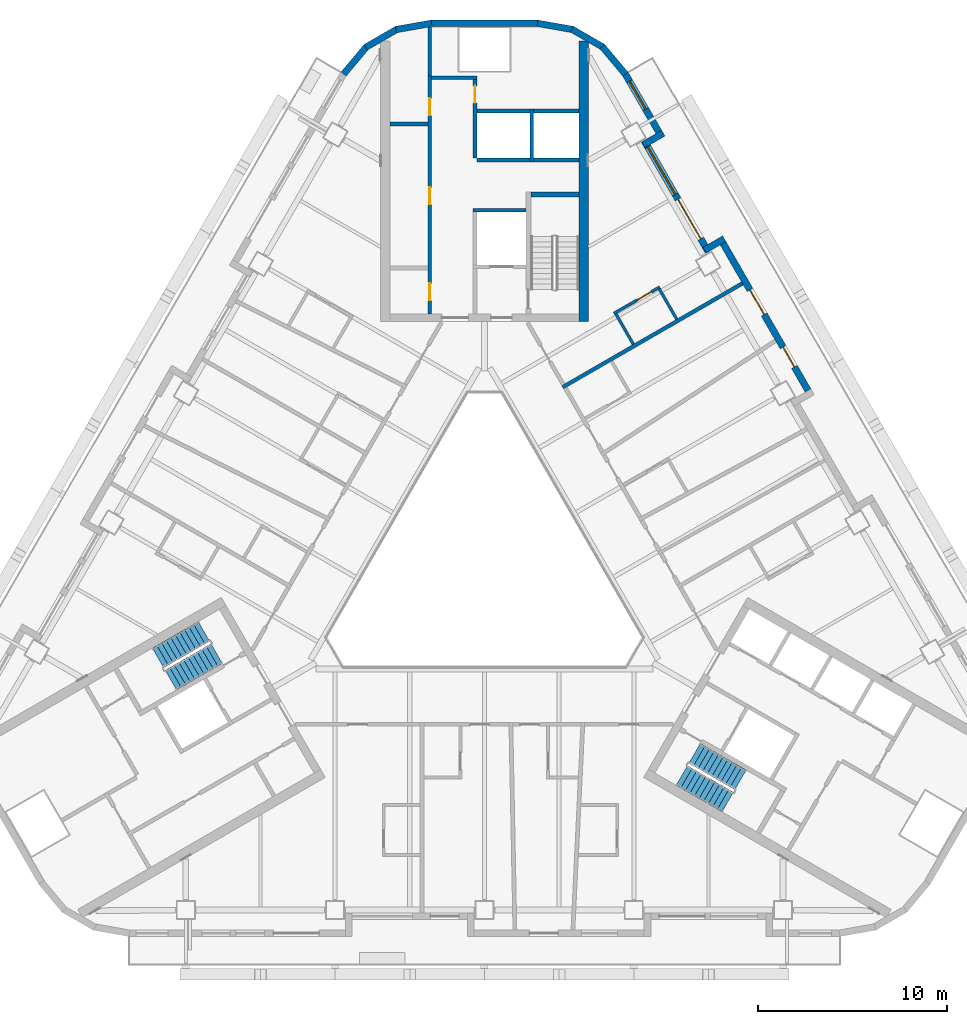
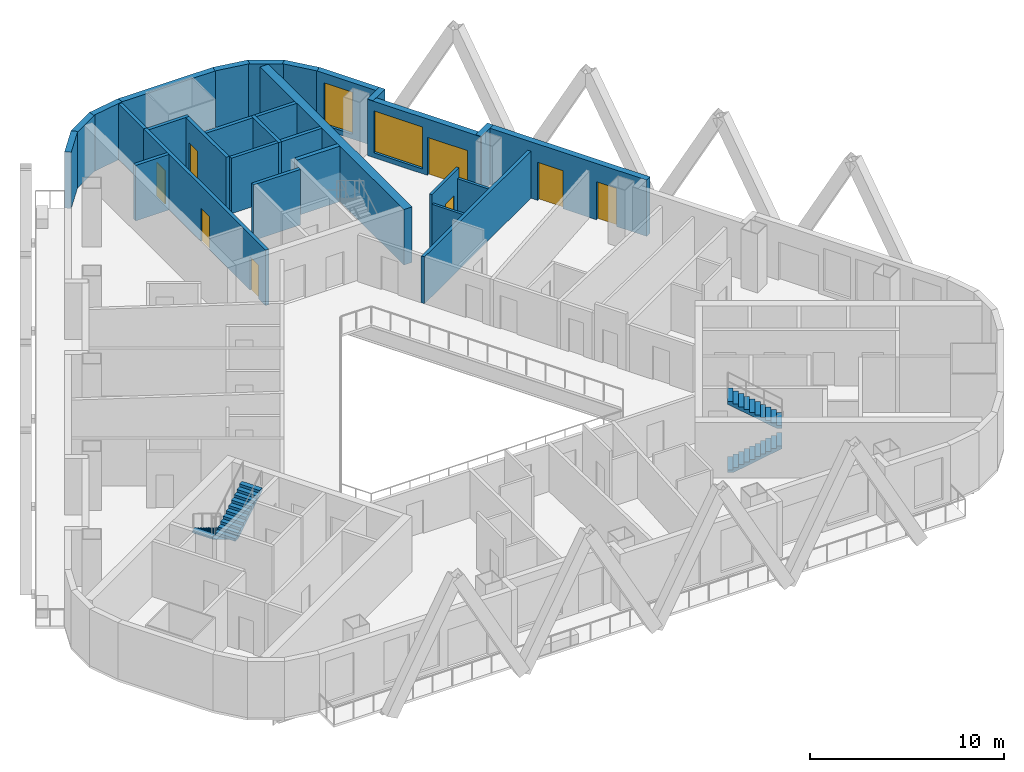
# One storey, part 10 of 17: 29 walls, 8 doors, 4 stair flights, 2 windows, 10 openings, 2 elements without a shape of their own.
"""IFC4 building model written with IfcOpenShell, lengths in metres."""

import ifcopenshell
import ifcopenshell.guid

model = None  # the IFC model being written
_history = None  # IfcOwnerHistory: only IFC2X3 demands one
_inside = {}  # id of a spatial element -> (the spatial element, [elements in it])
_under = {}  # id of a project, library or spatial element -> (it, [spatial elements below it])
_declared = {}  # id of a project -> (the project, [libraries it declares])
_typed = {}  # id of a type object -> (the type object, [elements of that type])
_made_of = {}  # id of a material, layer set ... -> (it, [elements and type objects made of it])


def new_model(schema):
    """Start an empty IFC model of exactly this schema.

    Asked for "IFC4X3", IfcOpenShell would pick the latest addendum, in which some entities
    have other attributes; the version numbers below select the first issue.
    IFC2X3 requires an IfcOwnerHistory on every rooted entity: one is made here for all.
    """
    global model, _history
    if schema == "IFC4X3":
        model = ifcopenshell.file(schema_version=(4, 3, 0, 0))
    else:
        model = ifcopenshell.file(schema=schema)
    _inside.clear()
    _under.clear()
    _declared.clear()
    _typed.clear()
    _made_of.clear()
    _history = None
    if model.schema == "IFC2X3":
        org = make("IfcOrganization", Name="unknown")
        user = make(
            "IfcPersonAndOrganization",
            ThePerson=make("IfcPerson", FamilyName="unknown"),
            TheOrganization=org,
        )
        app = make(
            "IfcApplication",
            ApplicationDeveloper=org,
            Version="unknown",
            ApplicationFullName="unknown",
            ApplicationIdentifier="unknown",
        )
        _history = make(
            "IfcOwnerHistory",
            OwningUser=user,
            OwningApplication=app,
            ChangeAction="ADDED",
            CreationDate=0,
        )
    return model


def make(cls, **values):
    """One entity of the class cls with the attributes given. An attribute that is None is left unset."""
    return model.create_entity(
        cls, **{name: value for name, value in values.items() if value is not None}
    )


def rooted(cls, **values):
    """An entity with a GlobalId (a new one), such as an element, a storey or a relation."""
    return make(cls, GlobalId=ifcopenshell.guid.new(), OwnerHistory=_history, **values)


def si_unit(unit_type, name, prefix=None):
    """IfcSIUnit, for example si_unit("LENGTHUNIT", "METRE", prefix="MILLI")."""
    return make("IfcSIUnit", UnitType=unit_type, Prefix=prefix, Name=name)


def assignment(units):
    """IfcUnitAssignment: the units of a project."""
    return None if units is None else make("IfcUnitAssignment", Units=units)


def point(xyz):
    """IfcCartesianPoint."""
    return None if xyz is None else make("IfcCartesianPoint", Coordinates=xyz)


def direction(xyz):
    """IfcDirection."""
    return None if xyz is None else make("IfcDirection", DirectionRatios=xyz)


def frame(location, z_axis=None, x_axis=None):
    """IfcAxis2Placement3D, a coordinate frame: its origin and axes. An axis left out is left unset."""
    return make(
        "IfcAxis2Placement3D",
        Location=point(location),
        Axis=direction(z_axis),
        RefDirection=direction(x_axis),
    )


def frame_2d(location, x_axis=None):
    """IfcAxis2Placement2D, a coordinate frame in the plane: its origin and x axis."""
    return make(
        "IfcAxis2Placement2D", Location=point(location), RefDirection=direction(x_axis)
    )


def origin():
    """The frame at (0, 0, 0) with its axes left unset."""
    return frame((0.0, 0.0, 0.0))


def place(relative_to, where):
    """IfcLocalPlacement: puts the frame where relative to a parent placement (None: the world)."""
    return make(
        "IfcLocalPlacement", PlacementRelTo=relative_to, RelativePlacement=where
    )


def context(
    kind, dimensions, precision=None, world=None, true_north=None, identifier=None
):
    """IfcGeometricRepresentationContext, for example the 3D "Model" context."""
    return make(
        "IfcGeometricRepresentationContext",
        ContextIdentifier=identifier,
        ContextType=kind,
        CoordinateSpaceDimension=dimensions,
        Precision=precision,
        WorldCoordinateSystem=world,
        TrueNorth=true_north,
    )


def subcontext(parent, identifier, kind, view, scale=None):
    """IfcGeometricRepresentationSubContext, for example "Body" below "Model"."""
    return make(
        "IfcGeometricRepresentationSubContext",
        ContextIdentifier=identifier,
        ContextType=kind,
        ParentContext=parent,
        TargetScale=scale,
        TargetView=view,
    )


def project(units=None, contexts=None):
    """IfcProject with its units and contexts."""
    return rooted(
        "IfcProject",
        Name="project",
        RepresentationContexts=contexts,
        UnitsInContext=assignment(units),
    )


def spatial(cls, under=None, at=None, **own):
    """A site, building, storey or space (cls), placed at a placement, below another one or the project."""
    s = rooted(cls, ObjectPlacement=at, **own)
    if under is not None:
        _under.setdefault(under.id(), (under, []))[1].append(s)
    return s


def polyline(points):
    """IfcPolyline through the points."""
    return make("IfcPolyline", Points=[point(p) for p in points])


def profile(cls, at=None, kind="AREA", **sizes):
    """A parametric profile (cls). Its sizes go by their IFC names, for example OverallWidth=200.0."""
    return make(cls, ProfileType=kind, Position=at, **sizes)


def rectangle(**sizes):
    """IfcRectangleProfileDef."""
    return profile("IfcRectangleProfileDef", **sizes)


def outline(outer, holes=None, kind="AREA"):
    """IfcArbitraryClosedProfileDef: a profile drawn as a closed curve; with holes, ...WithVoids."""
    if holes is None:
        return make("IfcArbitraryClosedProfileDef", ProfileType=kind, OuterCurve=outer)
    return make(
        "IfcArbitraryProfileDefWithVoids",
        ProfileType=kind,
        OuterCurve=outer,
        InnerCurves=holes,
    )


def extrude(swept, where, along, depth):
    """IfcExtrudedAreaSolid: the profile swept, set in the frame where, extruded along a direction by depth."""
    return make(
        "IfcExtrudedAreaSolid",
        SweptArea=swept,
        Position=where,
        ExtrudedDirection=direction(along),
        Depth=depth,
    )


def shape(context_of_items, identifier, shape_type, items):
    """IfcShapeRepresentation: the items that make up one representation, for example the "Body"."""
    return make(
        "IfcShapeRepresentation",
        ContextOfItems=context_of_items,
        RepresentationIdentifier=identifier,
        RepresentationType=shape_type,
        Items=items,
    )


def material(Name=None, Category=None):
    """IfcMaterial."""
    return make("IfcMaterial", Name=Name, Category=Category)


def layer(
    of_material, thickness, ventilated=None, Name=None, Category=None, Priority=None
):
    """IfcMaterialLayer: one layer of a wall or slab, of a material (None: an air gap)."""
    return make(
        "IfcMaterialLayer",
        Material=of_material,
        LayerThickness=thickness,
        IsVentilated=ventilated,
        Name=Name,
        Category=Category,
        Priority=Priority,
    )


def layer_set(layers, Name=None):
    """IfcMaterialLayerSet."""
    return make("IfcMaterialLayerSet", MaterialLayers=layers, LayerSetName=Name)


def made_of(thing, what):
    """Note that an element or type object is made of a material, layer set ...; save() writes the relation."""
    if what is not None:
        _made_of.setdefault(what.id(), (what, []))[1].append(thing)
    return thing


def type_object(cls, material=None, **own):
    """A type object (cls), such as IfcWallType, which elements share."""
    return made_of(rooted(cls, **own), material)


def element(
    cls,
    number,
    at=None,
    inside=None,
    cuts=None,
    type_object=None,
    material=None,
    context=None,
    identifier="Body",
    shape_type=None,
    held_by="IfcProductDefinitionShape",
    body=None,
    shapes=None,
    **own,
):
    """One element of the class cls, such as IfcWall. Its Tag is "e" and its number.

    at: its placement. inside: the storey or other place that contains it. cuts: it is an
    opening in that element (IfcRelVoidsElement). A single representation is given by context,
    identifier, shape_type and body (its items); several are given by shapes. held_by: the class
    of the entity that holds the representations. save() writes the other relations.
    """
    e = rooted(cls, Tag="e%d" % number, ObjectPlacement=at, **own)
    if body is not None:
        shapes = [shape(context, identifier, shape_type, body)]
    if shapes is not None:
        e.Representation = make(held_by, Representations=shapes)
    if inside is not None:
        _inside.setdefault(inside.id(), (inside, []))[1].append(e)
    if cuts is not None:
        rooted(
            "IfcRelVoidsElement", RelatingBuildingElement=cuts, RelatedOpeningElement=e
        )
    if type_object is not None:
        _typed.setdefault(type_object.id(), (type_object, []))[1].append(e)
    return made_of(e, material)


def fill(opening, filler):
    """IfcRelFillsElement: the door or window that sits in an opening."""
    return rooted(
        "IfcRelFillsElement",
        RelatingOpeningElement=opening,
        RelatedBuildingElement=filler,
    )


def aggregate(whole, parts):
    """IfcRelAggregates: a whole, such as a stair, and the parts it consists of."""
    return rooted("IfcRelAggregates", RelatingObject=whole, RelatedObjects=parts)


def save(model, path):
    """Write the relations noted so far, then the file.

    IfcRelAggregates (storeys below a building ...), IfcRelContainedInSpatialStructure (elements
    in a storey), IfcRelDefinesByType, IfcRelAssociatesMaterial and IfcRelDeclares: one each for
    every whole, place, type object, material and project.
    """
    for whole, parts in _under.values():
        aggregate(whole, parts)
    for where, things in _inside.values():
        rooted(
            "IfcRelContainedInSpatialStructure",
            RelatedElements=things,
            RelatingStructure=where,
        )
    for kind, things in _typed.values():
        rooted("IfcRelDefinesByType", RelatedObjects=things, RelatingType=kind)
    for what, things in _made_of.values():
        rooted("IfcRelAssociatesMaterial", RelatedObjects=things, RelatingMaterial=what)
    for by, libraries in _declared.values():
        rooted("IfcRelDeclares", RelatingContext=by, RelatedDefinitions=libraries)
    model.write(path)


model = new_model("IFC4")

# Units and contexts
model_context = context("Model", 3, precision=1e-05, world=origin(), true_north=direction((0.0, 1.0)))
body_context = subcontext(model_context, "Body", "Model", "MODEL_VIEW")
ifc_project = project(units=[si_unit("LENGTHUNIT", "METRE"), si_unit("AREAUNIT", "SQUARE_METRE"), si_unit("VOLUMEUNIT", "CUBIC_METRE"), si_unit("PLANEANGLEUNIT", "RADIAN"), si_unit("MASSUNIT", "GRAM", prefix="KILO")], contexts=[model_context])

# Site, building, storey
site_placement = place(None, origin())
site = spatial("IfcSite", under=ifc_project, at=site_placement, CompositionType="ELEMENT")
building_placement = place(site_placement, origin())
building = spatial("IfcBuilding", under=site, at=building_placement, Name="Apuvela Tower Hotel", CompositionType="ELEMENT")
storey_placement = place(building_placement, frame((0.0, 0.0, 46.5)))
storey = spatial("IfcBuildingStorey", under=building, at=storey_placement, Name="L08", CompositionType="ELEMENT", Elevation=46.5)

# Walls
ifc_material_1 = material(Name="Concrete C50/60", Category="concrete")
ifc_layer_1 = layer(ifc_material_1, 0.5)
ifc_layer_set_1 = layer_set([ifc_layer_1], Name="COR-WALL-CORE-500")
wall_type_1 = type_object("IfcWallType", Name="COR-WALL-CORE-500", PredefinedType="SHEAR", material=ifc_layer_set_1)
wall_1_placement = place(storey_placement, frame((5.25, 12.89990234375, 0.0), z_axis=(0.0, 0.0, 1.0), x_axis=(0.0, 1.0, 0.0)))
element("IfcWall", 1, at=wall_1_placement, inside=storey, type_object=wall_type_1, Name="Core wall N", PredefinedType="SHEAR", context=body_context, shape_type="SweptSolid", body=[
    extrude(rectangle(XDim=14.8369140625, YDim=0.5, at=frame_2d((7.41845703125, 0.0))), origin(), (0.0, 0.0, 1.0), 3.5),
])
ifc_material_2 = material(Name="Blockwork 200 mm plastered", Category="masonry")
ifc_layer_2 = layer(ifc_material_2, 0.199951171875)
ifc_layer_set_2 = layer_set([ifc_layer_2], Name="COR-WALL-PART-200")
wall_type_2 = type_object("IfcWallType", Name="COR-WALL-PART-200", PredefinedType="PARTITIONING", material=ifc_layer_set_2)
wall_2_placement = place(storey_placement, frame((5.0, 21.449951171875, 0.0), z_axis=(0.0, 0.0, 1.0), x_axis=(-1.0, 0.0, 0.0)))
element("IfcWall", 2, at=wall_2_placement, inside=storey, type_object=wall_type_2, Name="Partition N", PredefinedType="PARTITIONING", context=body_context, shape_type="SweptSolid", body=[
    extrude(rectangle(XDim=2.39990234375, YDim=0.199951171875, at=frame_2d((1.199951171875, 0.0))), origin(), (0.0, 0.0, 1.0), 3.5),
])
wall_3_placement = place(storey_placement, frame((2.39990234375, 21.449951171875, 0.0), z_axis=(0.0, 0.0, 1.0), x_axis=(-1.0, 0.0, 0.0)))
element("IfcWall", 3, at=wall_3_placement, inside=storey, type_object=wall_type_2, Name="Partition N", PredefinedType="PARTITIONING", context=body_context, shape_type="SweptSolid", body=[
    extrude(rectangle(XDim=2.7998046875, YDim=0.199951171875, at=frame_2d((1.39990234375, 0.0))), origin(), (0.0, 0.0, 1.0), 3.5),
])
ifc_layer_3 = layer(ifc_material_1, 0.199951171875)
ifc_layer_set_3 = layer_set([ifc_layer_3], Name="COR-WALL-SHAFT-200")
wall_type_3 = type_object("IfcWallType", Name="COR-WALL-SHAFT-200", PredefinedType="SHEAR", material=ifc_layer_set_3)
wall_4_placement = place(storey_placement, frame((2.199951171875, 18.800048828125, 0.0), z_axis=(0.0, 0.0, 1.0), x_axis=(-1.0, 0.0, 0.0)))
element("IfcWall", 4, at=wall_4_placement, inside=storey, type_object=wall_type_3, Name="Shaft wall N", PredefinedType="SHEAR", context=body_context, shape_type="SweptSolid", body=[
    extrude(rectangle(XDim=2.800048828125, YDim=0.199951171875, at=frame_2d((1.39990234375, 0.0))), origin(), (0.0, 0.0, 1.0), 3.5),
])

# Wall, openings, doors
wall_5_placement = place(storey_placement, frame((-2.89990234375, 13.300048828125, 0.0), z_axis=(0.0, 0.0, 1.0), x_axis=(0.0, 1.0, 0.0)))
wall_5 = element("IfcWall", 5, at=wall_5_placement, inside=storey, type_object=wall_type_3, Name="Shaft wall N", PredefinedType="SHEAR", context=body_context, shape_type="SweptSolid", body=[
    extrude(rectangle(XDim=12.599853515625, YDim=0.199951171875, at=frame_2d((6.2998046875, 0.0))), origin(), (0.0, 0.0, 1.0), 3.5),
])
opening_1_placement = place(wall_5_placement, frame((0.719970703125, 0.0, 0.0)))
opening_1 = element("IfcOpeningElement", 6, at=opening_1_placement, cuts=wall_5, Name="Opening N-RE1", PredefinedType="OPENING", context=body_context, shape_type="SweptSolid", body=[
    extrude(rectangle(XDim=0.89990234375, YDim=2.10009765625, at=frame_2d((0.449951171875, 1.050048828125))), frame((0.0, 0.10986328125, 0.0), z_axis=(0.0, -1.0, 0.0), x_axis=(1.0, 0.0, 0.0)), (0.0, 0.0, 1.0), 0.219970703125),
])
opening_2_placement = place(wall_5_placement, frame((5.800048828125, 0.0, 0.0)))
opening_2 = element("IfcOpeningElement", 7, at=opening_2_placement, cuts=wall_5, Name="Opening N-RE2", PredefinedType="OPENING", context=body_context, shape_type="SweptSolid", body=[
    extrude(rectangle(XDim=0.89990234375, YDim=2.10009765625, at=frame_2d((0.449951171875, 1.050048828125))), frame((0.0, 0.10986328125, 0.0), z_axis=(0.0, -1.0, 0.0), x_axis=(1.0, 0.0, 0.0)), (0.0, 0.0, 1.0), 0.219970703125),
])
opening_3_placement = place(wall_5_placement, frame((10.510009765625, 0.0, 0.0)))
opening_3 = element("IfcOpeningElement", 8, at=opening_3_placement, cuts=wall_5, Name="Opening N-REP", PredefinedType="OPENING", context=body_context, shape_type="SweptSolid", body=[
    extrude(rectangle(XDim=0.89990234375, YDim=2.10009765625, at=frame_2d((0.449951171875, 1.050048828125))), frame((0.0, 0.10986328125, 0.0), z_axis=(0.0, -1.0, 0.0), x_axis=(1.0, 0.0, 0.0)), (0.0, 0.0, 1.0), 0.219970703125),
])
ifc_material_3 = material(Name="Steel fire door, powder coated", Category="steel")
door_type_1 = type_object("IfcDoorType", Name="COR-DR-900", OperationType="NOTDEFINED", PredefinedType="DOOR", material=ifc_material_3)
door_1_placement = place(opening_1_placement, origin())
door_1 = element("IfcDoor", 9, at=door_1_placement, inside=storey, type_object=door_type_1, Name="Store door N-RE1", OperationType="SINGLE_SWING_LEFT", OverallHeight=2.10009765625, OverallWidth=0.89990234375, PredefinedType="DOOR", context=body_context, shape_type="SweptSolid", body=[
    extrude(rectangle(XDim=0.89990234375, YDim=2.10009765625, at=frame_2d((0.449951171875, 1.050048828125))), frame((0.0, 0.02490234375, 0.0), z_axis=(0.0, -1.0, 0.0), x_axis=(1.0, 0.0, 0.0)), (0.0, 0.0, 1.0), 0.050048828125),
])
fill(opening_1, door_1)
door_2_placement = place(opening_2_placement, origin())
door_2 = element("IfcDoor", 10, at=door_2_placement, inside=storey, type_object=door_type_1, Name="Store door N-RE2", OperationType="SINGLE_SWING_RIGHT", OverallHeight=2.10009765625, OverallWidth=0.89990234375, PredefinedType="DOOR", context=body_context, shape_type="SweptSolid", body=[
    extrude(rectangle(XDim=0.89990234375, YDim=2.10009765625, at=frame_2d((0.449951171875, 1.050048828125))), frame((0.0, 0.02490234375, 0.0), z_axis=(0.0, -1.0, 0.0), x_axis=(1.0, 0.0, 0.0)), (0.0, 0.0, 1.0), 0.050048828125),
])
fill(opening_2, door_2)
door_3_placement = place(opening_3_placement, origin())
door_3 = element("IfcDoor", 11, at=door_3_placement, inside=storey, type_object=door_type_1, Name="Store door N-REP", OperationType="SINGLE_SWING_RIGHT", OverallHeight=2.10009765625, OverallWidth=0.89990234375, PredefinedType="DOOR", context=body_context, shape_type="SweptSolid", body=[
    extrude(rectangle(XDim=0.89990234375, YDim=2.10009765625, at=frame_2d((0.449951171875, 1.050048828125))), frame((0.0, 0.02490234375, 0.0), z_axis=(0.0, -1.0, 0.0), x_axis=(1.0, 0.0, 0.0)), (0.0, 0.0, 1.0), 0.050048828125),
])
fill(opening_3, door_3)

# Wall
wall_6_placement = place(storey_placement, frame((-0.39990234375, 25.800048828125, 0.0), z_axis=(0.0, 0.0, 1.0), x_axis=(-1.0, 0.0, 0.0)))
element("IfcWall", 12, at=wall_6_placement, inside=storey, type_object=wall_type_3, Name="Shaft wall N", PredefinedType="SHEAR", context=body_context, shape_type="SweptSolid", body=[
    extrude(rectangle(XDim=2.400146484375, YDim=0.199951171875, at=frame_2d((1.2001953125, 0.0))), origin(), (0.0, 0.0, 1.0), 3.5),
])

# Wall, opening, door
wall_7_placement = place(storey_placement, frame((-0.5, 21.550048828125, 0.0), z_axis=(0.0, 0.0, 1.0), x_axis=(0.0, 1.0, 0.0)))
wall_7 = element("IfcWall", 13, at=wall_7_placement, inside=storey, type_object=wall_type_3, Name="Shaft wall N", PredefinedType="SHEAR", context=body_context, shape_type="SweptSolid", body=[
    extrude(rectangle(XDim=4.14990234375, YDim=0.199951171875, at=frame_2d((2.074951171875, 0.0))), origin(), (0.0, 0.0, 1.0), 3.5),
])
opening_4_placement = place(wall_7_placement, frame((2.925048828125, 0.0, 0.0)))
opening_4 = element("IfcOpeningElement", 14, at=opening_4_placement, cuts=wall_7, Name="Opening N-RSP", PredefinedType="OPENING", context=body_context, shape_type="SweptSolid", body=[
    extrude(rectangle(XDim=0.89990234375, YDim=2.10009765625, at=frame_2d((0.449951171875, 1.050048828125))), frame((0.0, 0.10986328125, 0.0), z_axis=(0.0, -1.0, 0.0), x_axis=(1.0, 0.0, 0.0)), (0.0, 0.0, 1.0), 0.219970703125),
])
door_4_placement = place(opening_4_placement, frame((0.89990234375, 0.0, 0.0), z_axis=(0.0, 0.0, 1.0), x_axis=(-1.0, 0.0, 0.0)))
door_4 = element("IfcDoor", 15, at=door_4_placement, inside=storey, type_object=door_type_1, Name="Store door N-RSP", OperationType="SINGLE_SWING_LEFT", OverallHeight=2.10009765625, OverallWidth=0.89990234375, PredefinedType="DOOR", context=body_context, shape_type="SweptSolid", body=[
    extrude(rectangle(XDim=0.89990234375, YDim=2.10009765625, at=frame_2d((0.449951171875, 1.050048828125))), frame((0.0, 0.02490234375, 0.0), z_axis=(0.0, -1.0, 0.0), x_axis=(1.0, 0.0, 0.0)), (0.0, 0.0, 1.0), 0.050048828125),
])
fill(opening_4, door_4)

# Walls
wall_8_placement = place(storey_placement, frame((-3.0, 23.360107421875, 0.0), z_axis=(0.0, 0.0, 1.0), x_axis=(-1.0, 0.0, 0.0)))
element("IfcWall", 16, at=wall_8_placement, inside=storey, type_object=wall_type_3, Name="Shaft wall N", PredefinedType="SHEAR", context=body_context, shape_type="SweptSolid", body=[
    extrude(rectangle(XDim=2.0, YDim=0.199951171875, at=frame_2d((1.0, 0.0))), origin(), (0.0, 0.0, 1.0), 3.5),
])
wall_9_placement = place(storey_placement, frame((-2.89990234375, 25.89990234375, 0.0), z_axis=(0.0, 0.0, 1.0), x_axis=(0.0, 1.0, 0.0)))
element("IfcWall", 17, at=wall_9_placement, inside=storey, type_object=wall_type_3, Name="Shaft wall N", PredefinedType="SHEAR", context=body_context, shape_type="SweptSolid", body=[
    extrude(rectangle(XDim=2.60009765625, YDim=0.199951171875, at=frame_2d((1.300048828125, 0.0))), origin(), (0.0, 0.0, 1.0), 3.5),
])
wall_10_placement = place(storey_placement, frame((2.5, 21.35009765625, 0.0), z_axis=(0.0, 0.0, 1.0), x_axis=(0.0, 1.0, 0.0)))
element("IfcWall", 18, at=wall_10_placement, inside=storey, type_object=wall_type_3, Name="Shaft wall N", PredefinedType="SHEAR", context=body_context, shape_type="SweptSolid", body=[
    extrude(rectangle(XDim=2.7998046875, YDim=0.199951171875, at=frame_2d((1.39990234375, 0.0))), origin(), (0.0, 0.0, 1.0), 3.5),
])
wall_11_placement = place(storey_placement, frame((5.0, 24.050048828125, 0.0), z_axis=(0.0, 0.0, 1.0), x_axis=(-1.0, 0.0, 0.0)))
element("IfcWall", 19, at=wall_11_placement, inside=storey, type_object=wall_type_3, Name="Shaft wall N", PredefinedType="SHEAR", context=body_context, shape_type="SweptSolid", body=[
    extrude(rectangle(XDim=2.39990234375, YDim=0.199951171875, at=frame_2d((1.199951171875, 0.0))), origin(), (0.0, 0.0, 1.0), 3.5),
])
wall_12_placement = place(storey_placement, frame((2.39990234375, 24.050048828125, 0.0), z_axis=(0.0, 0.0, 1.0), x_axis=(-1.0, 0.0, 0.0)))
element("IfcWall", 20, at=wall_12_placement, inside=storey, type_object=wall_type_3, Name="Shaft wall N", PredefinedType="SHEAR", context=body_context, shape_type="SweptSolid", body=[
    extrude(rectangle(XDim=2.7998046875, YDim=0.199951171875, at=frame_2d((1.39990234375, 0.0))), origin(), (0.0, 0.0, 1.0), 3.5),
])
ifc_layer_4 = layer(ifc_material_1, 0.25)
ifc_layer_set_4 = layer_set([ifc_layer_4], Name="COR-WALL-STAIR-250")
wall_type_4 = type_object("IfcWallType", Name="COR-WALL-STAIR-250", PredefinedType="SHEAR", material=ifc_layer_set_4)
wall_13_placement = place(storey_placement, frame((5.0, 19.625, 0.0), z_axis=(0.0, 0.0, 1.0), x_axis=(-1.0, 0.0, 0.0)))
element("IfcWall", 21, at=wall_13_placement, inside=storey, type_object=wall_type_4, Name="Stair wall N", PredefinedType="SHEAR", context=body_context, shape_type="SweptSolid", body=[
    extrude(rectangle(XDim=2.550048828125, YDim=0.25, at=frame_2d((1.27490234375, 0.0))), origin(), (0.0, 0.0, 1.0), 3.5),
])

# Wall, openings, doors
ifc_material_4 = material(Name="Concrete C40/50, dark pigmented precast panel", Category="concrete")
ifc_layer_5 = layer(ifc_material_4, 0.35009765625)
ifc_layer_set_5 = layer_set([ifc_layer_5], Name="ENV-WALL-350")
wall_type_5 = type_object("IfcWallType", Name="ENV-WALL-350", PredefinedType="SOLIDWALL", material=ifc_layer_set_5)
wall_14_placement = place(storey_placement, frame((17.298583984375, 8.947998046875, 0.0), z_axis=(0.0, 0.0, 1.0), x_axis=(-0.500010041276, 0.866019606374, 0.0)))
wall_14 = element("IfcWall", 22, at=wall_14_placement, inside=storey, type_object=wall_type_5, Name="External wall L08-37", PredefinedType="SOLIDWALL", context=body_context, shape_type="SweptSolid", body=[
    extrude(rectangle(XDim=9.699951171875, YDim=0.35009765625, at=frame_2d((4.85009765625, 0.0))), origin(), (0.0, 0.0, 1.0), 3.550048828125),
])
opening_5_placement = place(wall_14_placement, frame((1.7998046875, 0.0, 0.0)))
opening_5 = element("IfcOpeningElement", 23, at=opening_5_placement, cuts=wall_14, Name="Opening BD12", PredefinedType="OPENING", context=body_context, shape_type="SweptSolid", body=[
    extrude(rectangle(XDim=1.199951171875, YDim=2.39990234375, at=frame_2d((0.60009765625, 1.199951171875))), frame((0.0, 0.18505859375, 0.0), z_axis=(0.0, -1.0, 0.0), x_axis=(1.0, 0.0, 0.0)), (0.0, 0.0, 1.0), 0.3701171875),
])
opening_6_placement = place(wall_14_placement, frame((4.99951171875, 0.0, 0.0)))
opening_6 = element("IfcOpeningElement", 24, at=opening_6_placement, cuts=wall_14, Name="Opening BD15", PredefinedType="OPENING", context=body_context, shape_type="SweptSolid", body=[
    extrude(rectangle(XDim=1.5, YDim=2.39990234375, at=frame_2d((0.75, 1.199951171875))), frame((0.0, 0.18505859375, 0.0), z_axis=(0.0, -1.0, 0.0), x_axis=(1.0, 0.0, 0.0)), (0.0, 0.0, 1.0), 0.3701171875),
])
ifc_material_5 = material(Name="Aluminium 6063-T6, dark bronze anodised frame with dark tinted laminated glass", Category="aluminium")
door_type_2 = type_object("IfcDoorType", Name="ENV-DOOR-BALCONY-1200x2400", OperationType="SLIDING_TO_LEFT", PredefinedType="DOOR", material=ifc_material_5)
door_5_placement = place(opening_5_placement, frame((1.199951171875, 0.0, 0.0), z_axis=(0.0, 0.0, 1.0), x_axis=(-1.0, 0.0, 0.0)))
door_5 = element("IfcDoor", 25, at=door_5_placement, inside=storey, type_object=door_type_2, Name="Balcony door BD12", OperationType="SLIDING_TO_LEFT", OverallHeight=2.39990234375, OverallWidth=1.199951171875, PredefinedType="DOOR", context=body_context, shape_type="SweptSolid", body=[
    extrude(rectangle(XDim=1.199951171875, YDim=2.39990234375, at=frame_2d((0.60009765625, 1.199951171875))), frame((0.0, 0.02490234375, 0.0), z_axis=(0.0, -1.0, 0.0), x_axis=(1.0, 0.0, 0.0)), (0.0, 0.0, 1.0), 0.050048828125),
])
fill(opening_5, door_5)
door_type_3 = type_object("IfcDoorType", Name="ENV-DOOR-BALCONY-1500x2400", OperationType="SLIDING_TO_LEFT", PredefinedType="DOOR", material=ifc_material_5)
door_6_placement = place(opening_6_placement, frame((1.5, 0.0, 0.0), z_axis=(0.0, 0.0, 1.0), x_axis=(-1.0, 0.0, 0.0)))
door_6 = element("IfcDoor", 26, at=door_6_placement, inside=storey, type_object=door_type_3, Name="Balcony door BD15", OperationType="SLIDING_TO_LEFT", OverallHeight=2.39990234375, OverallWidth=1.5, PredefinedType="DOOR", context=body_context, shape_type="SweptSolid", body=[
    extrude(rectangle(XDim=1.5, YDim=2.39990234375, at=frame_2d((0.75, 1.199951171875))), frame((0.0, 0.02490234375, 0.0), z_axis=(0.0, -1.0, 0.0), x_axis=(1.0, 0.0, 0.0)), (0.0, 0.0, 1.0), 0.050048828125),
])
fill(opening_6, door_6)

# Wall
wall_15_placement = place(storey_placement, frame((12.6875, 17.284423828125, 0.0), z_axis=(0.0, 0.0, 1.0), x_axis=(-0.865955602162, -0.500120880472, 0.0)))
element("IfcWall", 27, at=wall_15_placement, inside=storey, type_object=wall_type_5, Name="External wall L08-38", PredefinedType="SOLIDWALL", context=body_context, shape_type="SweptSolid", body=[
    extrude(rectangle(XDim=1.219970703125, YDim=0.35009765625, at=frame_2d((0.60986328125, 0.0))), origin(), (0.0, 0.0, 1.0), 3.550048828125),
])

# Wall, openings, door, window
wall_16_placement = place(storey_placement, frame((11.8291015625, 16.621337890625, 0.0), z_axis=(0.0, 0.0, 1.0), x_axis=(-0.500003597184, 0.866023326939, 0.0)))
wall_16 = element("IfcWall", 28, at=wall_16_placement, inside=storey, type_object=wall_type_5, Name="External wall L08-39", PredefinedType="SOLIDWALL", context=body_context, shape_type="SweptSolid", body=[
    extrude(rectangle(XDim=6.740234375, YDim=0.35009765625, at=frame_2d((3.3701171875, 0.0))), origin(), (0.0, 0.0, 1.0), 3.550048828125),
])
opening_7_placement = place(wall_16_placement, frame((0.77001953125, 0.0, 0.0)))
opening_7 = element("IfcOpeningElement", 29, at=opening_7_placement, cuts=wall_16, Name="Opening BD24", PredefinedType="OPENING", context=body_context, shape_type="SweptSolid", body=[
    extrude(rectangle(XDim=2.39990234375, YDim=2.39990234375, at=frame_2d((1.199951171875, 1.199951171875))), frame((0.0, 0.18505859375, 0.0), z_axis=(0.0, -1.0, 0.0), x_axis=(1.0, 0.0, 0.0)), (0.0, 0.0, 1.0), 0.3701171875),
])
opening_8_placement = place(wall_16_placement, frame((3.469970703125, 0.0, 0.300048828125)))
opening_8 = element("IfcOpeningElement", 30, at=opening_8_placement, cuts=wall_16, Name="Opening WN29", PredefinedType="OPENING", context=body_context, shape_type="SweptSolid", body=[
    extrude(rectangle(XDim=2.89990234375, YDim=2.64990234375, at=frame_2d((1.449951171875, 1.324951171875))), frame((0.0, 0.18505859375, 0.0), z_axis=(0.0, -1.0, 0.0), x_axis=(1.0, 0.0, 0.0)), (0.0, 0.0, 1.0), 0.3701171875),
])
door_type_4 = type_object("IfcDoorType", Name="ENV-DOOR-BALCONY-2400x2400", OperationType="SLIDING_TO_LEFT", PredefinedType="DOOR", material=ifc_material_5)
door_7_placement = place(opening_7_placement, frame((2.39990234375, 0.0, 0.0), z_axis=(0.0, 0.0, 1.0), x_axis=(-1.0, 0.0, 0.0)))
door_7 = element("IfcDoor", 31, at=door_7_placement, inside=storey, type_object=door_type_4, Name="Balcony door BD24", OperationType="SLIDING_TO_LEFT", OverallHeight=2.39990234375, OverallWidth=2.39990234375, PredefinedType="DOOR", context=body_context, shape_type="SweptSolid", body=[
    extrude(rectangle(XDim=2.39990234375, YDim=2.39990234375, at=frame_2d((1.199951171875, 1.199951171875))), frame((0.0, 0.02490234375, 0.0), z_axis=(0.0, -1.0, 0.0), x_axis=(1.0, 0.0, 0.0)), (0.0, 0.0, 1.0), 0.050048828125),
])
fill(opening_7, door_7)
ifc_material_6 = material(Name="Glass, dark tinted laminated insulated glazing unit", Category="glass")
window_type_1 = type_object("IfcWindowType", Name="ENV-WIN-2900x2650", PartitioningType="SINGLE_PANEL", PredefinedType="WINDOW", material=ifc_material_6)
window_1_placement = place(opening_8_placement, origin())
window_1 = element("IfcWindow", 32, at=window_1_placement, inside=storey, type_object=window_type_1, Name="Window WN29", OverallHeight=2.64990234375, OverallWidth=2.89990234375, PartitioningType="SINGLE_PANEL", PredefinedType="WINDOW", context=body_context, shape_type="SweptSolid", body=[
    extrude(rectangle(XDim=2.89990234375, YDim=2.64990234375, at=frame_2d((1.449951171875, 1.324951171875))), frame((0.0, 0.030029296875, 0.0), z_axis=(0.0, -1.0, 0.0), x_axis=(1.0, 0.0, 0.0)), (0.0, 0.0, 1.0), 0.06005859375),
])
fill(opening_8, window_1)

# Wall
wall_17_placement = place(storey_placement, frame((8.406005859375, 22.26025390625, 0.0), z_axis=(0.0, 0.0, 1.0), x_axis=(0.865955602162, 0.500120880472, 0.0)))
element("IfcWall", 33, at=wall_17_placement, inside=storey, type_object=wall_type_5, Name="External wall L08-40", PredefinedType="SOLIDWALL", context=body_context, shape_type="SweptSolid", body=[
    extrude(rectangle(XDim=1.219970703125, YDim=0.35009765625, at=frame_2d((0.60986328125, 0.0))), origin(), (0.0, 0.0, 1.0), 3.550048828125),
])

# Wall, opening, window
wall_18_placement = place(storey_placement, frame((9.3984375, 22.631103515625, 0.0), z_axis=(0.0, 0.0, 1.0), x_axis=(-0.499954521343, 0.866051659307, 0.0)))
wall_18 = element("IfcWall", 34, at=wall_18_placement, inside=storey, type_object=wall_type_5, Name="External wall L08-41", PredefinedType="SOLIDWALL", context=body_context, shape_type="SweptSolid", body=[
    extrude(rectangle(XDim=3.915771484375, YDim=0.35009765625, at=frame_2d((1.9580078125, 0.0))), origin(), (0.0, 0.0, 1.0), 3.550048828125),
])
opening_9_placement = place(wall_18_placement, frame((1.749755859375, 0.0, 0.300048828125)))
opening_9 = element("IfcOpeningElement", 35, at=opening_9_placement, cuts=wall_18, Name="Opening WN17", PredefinedType="OPENING", context=body_context, shape_type="SweptSolid", body=[
    extrude(rectangle(XDim=1.699951171875, YDim=2.64990234375, at=frame_2d((0.85009765625, 1.324951171875))), frame((0.0, 0.18505859375, 0.0), z_axis=(0.0, -1.0, 0.0), x_axis=(1.0, 0.0, 0.0)), (0.0, 0.0, 1.0), 0.3701171875),
])
window_type_2 = type_object("IfcWindowType", Name="ENV-WIN-1700x2650", PartitioningType="SINGLE_PANEL", PredefinedType="WINDOW", material=ifc_material_6)
window_2_placement = place(opening_9_placement, origin())
window_2 = element("IfcWindow", 36, at=window_2_placement, inside=storey, type_object=window_type_2, Name="Window WN17", OverallHeight=2.64990234375, OverallWidth=1.699951171875, PartitioningType="SINGLE_PANEL", PredefinedType="WINDOW", context=body_context, shape_type="SweptSolid", body=[
    extrude(rectangle(XDim=1.699951171875, YDim=2.64990234375, at=frame_2d((0.85009765625, 1.324951171875))), frame((0.0, 0.030029296875, 0.0), z_axis=(0.0, -1.0, 0.0), x_axis=(1.0, 0.0, 0.0)), (0.0, 0.0, 1.0), 0.06005859375),
])
fill(opening_9, window_2)

# Walls
wall_19_placement = place(storey_placement, frame((7.4580078125, 25.99755859375, 0.0), z_axis=(0.0, 0.0, 1.0), x_axis=(-0.642808304945, 0.766027077259, 0.0)))
element("IfcWall", 37, at=wall_19_placement, inside=storey, type_object=wall_type_5, Name="External wall L08-42", PredefinedType="SOLIDWALL", context=body_context, shape_type="SweptSolid", body=[
    extrude(rectangle(XDim=1.909912109375, YDim=0.35009765625, at=frame_2d((0.955078125, 0.0))), origin(), (0.0, 0.0, 1.0), 3.550048828125),
])
for number, where, z_axis, x_axis, name in (
    (38, (6.27685546875, 27.421630859375, 0.0), (0.0, 0.0, 1.0), (-0.866032345022, 0.499987977232, 0.0), "External wall L08-43"),
    (39, (4.6796875, 28.35595703125, 0.0), (0.0, 0.0, 1.0), (-0.984798995425, 0.173697837091, 0.0), "External wall L08-44"),
):
    element("IfcWall", number, at=place(storey_placement, frame(where, z_axis=z_axis, x_axis=x_axis)), inside=storey, type_object=wall_type_5, Name=name, PredefinedType="SOLIDWALL", context=body_context, shape_type="SweptSolid", body=[
        extrude(rectangle(XDim=1.91015625, YDim=0.35009765625, at=frame_2d((0.955078125, 0.0))), origin(), (0.0, 0.0, 1.0), 3.550048828125),
    ])
wall_20_placement = place(storey_placement, frame((2.8291015625, 28.68505859375, 0.0), z_axis=(0.0, 0.0, 1.0), x_axis=(-1.0, 0.0, 0.0)))
element("IfcWall", 40, at=wall_20_placement, inside=storey, type_object=wall_type_5, Name="External wall L08-45", PredefinedType="SOLIDWALL", context=body_context, shape_type="SweptSolid", body=[
    extrude(rectangle(XDim=5.658203125, YDim=0.35009765625, at=frame_2d((2.8291015625, 0.0))), origin(), (0.0, 0.0, 1.0), 3.550048828125),
])
for number, where, z_axis, x_axis, name in (
    (41, (-2.798583984375, 28.687744140625, 0.0), (0.0, 0.0, 1.0), (-0.984798995425, -0.173697837091, 0.0), "External wall L08-46"),
    (42, (-4.62255859375, 28.376708984375, 0.0), (0.0, 0.0, 1.0), (-0.866032345022, -0.499987977232, 0.0), "External wall L08-47"),
):
    element("IfcWall", number, at=place(storey_placement, frame(where, z_axis=z_axis, x_axis=x_axis)), inside=storey, type_object=wall_type_5, Name=name, PredefinedType="SOLIDWALL", context=body_context, shape_type="SweptSolid", body=[
        extrude(rectangle(XDim=1.91015625, YDim=0.35009765625, at=frame_2d((0.955078125, 0.0))), origin(), (0.0, 0.0, 1.0), 3.550048828125),
    ])
wall_21_placement = place(storey_placement, frame((-6.230224609375, 27.460693359375, 0.0), z_axis=(0.0, 0.0, 1.0), x_axis=(-0.642808304945, -0.766027077259, 0.0)))
element("IfcWall", 43, at=wall_21_placement, inside=storey, type_object=wall_type_5, Name="External wall L08-48", PredefinedType="SOLIDWALL", context=body_context, shape_type="SweptSolid", body=[
    extrude(rectangle(XDim=1.909912109375, YDim=0.35009765625, at=frame_2d((0.955078125, 0.0))), origin(), (0.0, 0.0, 1.0), 3.550048828125),
])
ifc_material_7 = material(Name="Gypsum board partition on twin steel stud", Category="steel")
ifc_layer_6 = layer(ifc_material_7, 0.199951171875)
ifc_layer_set_6 = layer_set([ifc_layer_6], Name="GST-PW1")
wall_type_6 = type_object("IfcWallType", Name="GST-PW1", PredefinedType="PARTITIONING", material=ifc_layer_set_6)
wall_22_placement = place(storey_placement, frame((13.64697265625, 14.9228515625, 0.0), z_axis=(0.0, 0.0, 1.0), x_axis=(-0.866027479907, -0.499996404033, 0.0)))
element("IfcWall", 44, at=wall_22_placement, inside=storey, type_object=wall_type_6, Name="L08 partition 07", PredefinedType="PARTITIONING", context=body_context, shape_type="SweptSolid", body=[
    extrude(rectangle(XDim=10.97998046875, YDim=0.199951171875, at=frame_2d((5.489990234375, 0.0))), origin(), (0.0, 0.0, 1.0), 2.9599609375),
])

# Wall, opening, door
ifc_material_8 = material(Name="Moisture-resistant gypsum board wet wall on steel stud", Category="steel")
ifc_layer_7 = layer(ifc_material_8, 0.14990234375)
ifc_layer_set_7 = layer_set([ifc_layer_7], Name="GST-PW3")
wall_type_7 = type_object("IfcWallType", Name="GST-PW3", PredefinedType="PARTITIONING", material=ifc_layer_set_7)
wall_23_placement = place(storey_placement, frame((9.2744140625, 14.736572265625, 0.0), z_axis=(0.0, 0.0, 1.0), x_axis=(-0.866018616679, -0.500011755427, 0.0)))
wall_23 = element("IfcWall", 45, at=wall_23_placement, inside=storey, type_object=wall_type_7, Name="L08 partition 40", PredefinedType="PARTITIONING", context=body_context, shape_type="SweptSolid", body=[
    extrude(rectangle(XDim=2.80029296875, YDim=0.14990234375, at=frame_2d((1.400146484375, 0.0))), origin(), (0.0, 0.0, 1.0), 3.550048828125),
])
opening_10_placement = place(wall_23_placement, frame((0.5, 0.0, 0.0)))
opening_10 = element("IfcOpeningElement", 46, at=opening_10_placement, cuts=wall_23, Name="Opening GD01-17", PredefinedType="OPENING", context=body_context, shape_type="SweptSolid", body=[
    extrude(rectangle(XDim=0.89990234375, YDim=2.10009765625, at=frame_2d((0.449951171875, 1.050048828125))), frame((0.0, 0.0849609375, 0.0), z_axis=(0.0, -1.0, 0.0), x_axis=(1.0, 0.0, 0.0)), (0.0, 0.0, 1.0), 0.169921875),
])
ifc_material_9 = material(Name="Timber door leaf in steel frame", Category="steel")
door_type_5 = type_object("IfcDoorType", Name="GST-D2", OperationType="NOTDEFINED", PredefinedType="DOOR", material=ifc_material_9)
door_8_placement = place(opening_10_placement, origin())
door_8 = element("IfcDoor", 47, at=door_8_placement, inside=storey, type_object=door_type_5, Name="Door L08-17", OperationType="SINGLE_SWING_LEFT", OverallHeight=2.10009765625, OverallWidth=0.89990234375, PredefinedType="DOOR", context=body_context, shape_type="SweptSolid", body=[
    extrude(rectangle(XDim=0.89990234375, YDim=2.10009765625, at=frame_2d((0.449951171875, 1.050048828125))), frame((0.0, 0.02490234375, 0.0), z_axis=(0.0, -1.0, 0.0), x_axis=(1.0, 0.0, 0.0)), (0.0, 0.0, 1.0), 0.050048828125),
])
fill(opening_10, door_8)

# Walls
wall_24_placement = place(storey_placement, frame((10.171875, 13.031982421875, 0.0), z_axis=(0.0, 0.0, 1.0), x_axis=(-0.500042316284, 0.866000971088, 0.0)))
element("IfcWall", 48, at=wall_24_placement, inside=storey, type_object=wall_type_7, Name="L08 partition 41", PredefinedType="PARTITIONING", context=body_context, shape_type="SweptSolid", body=[
    extrude(rectangle(XDim=1.849853515625, YDim=0.14990234375, at=frame_2d((0.9248046875, 0.0))), origin(), (0.0, 0.0, 1.0), 2.949951171875),
])
wall_25_placement = place(storey_placement, frame((7.876953125, 11.706787109375, 0.0), z_axis=(0.0, 0.0, 1.0), x_axis=(-0.499985172903, 0.866033964044, 0.0)))
element("IfcWall", 49, at=wall_25_placement, inside=storey, type_object=wall_type_7, Name="L08 partition 42", PredefinedType="PARTITIONING", context=body_context, shape_type="SweptSolid", body=[
    extrude(rectangle(XDim=1.85009765625, YDim=0.14990234375, at=frame_2d((0.925048828125, 0.0))), origin(), (0.0, 0.0, 1.0), 2.949951171875),
])

# Stair, stair flights
stair_type = type_object("IfcStairType", Name="COR-STAIR-22R", PredefinedType="HALF_TURN_STAIR", material=ifc_material_1)
stair_1_placement = place(storey_placement, origin())
stair_1 = element("IfcStair", 50, at=stair_1_placement, inside=storey, type_object=stair_type, Name="L08 Exit stair ST2", PredefinedType="HALF_TURN_STAIR")
stair_flight_type = type_object("IfcStairFlightType", Name="COR-FLIGHT-11R", PredefinedType="STRAIGHT", material=ifc_material_1)
stair_flight_1_placement = place(storey_placement, frame((-14.843994140625, -3.489501953125, 0.0), z_axis=(0.0, 0.0, 1.0), x_axis=(-0.866025403784, -0.5, 0.0)))
stair_flight_1 = element("IfcStairFlight", 51, at=stair_flight_1_placement, type_object=stair_flight_type, Name="ST2 flight 1", NumberOfRisers=11, NumberOfTreads=10, PredefinedType="STRAIGHT", RiserHeight=0.168181818, TreadLength=0.28, context=body_context, shape_type="SweptSolid", body=[
    extrude(outline(polyline([(0.0, 0.0), (0.0, 0.168212890625), (0.280029296875, 0.168212890625), (0.280029296875, 0.33642578125), (0.56005859375, 0.33642578125), (0.56005859375, 0.504638671875), (0.840087890625, 0.504638671875), (0.840087890625, 0.672607421875), (1.1201171875, 0.672607421875), (1.1201171875, 0.8408203125), (1.39990234375, 0.8408203125), (1.39990234375, 1.009033203125), (1.679931640625, 1.009033203125), (1.679931640625, 1.17724609375), (1.9599609375, 1.17724609375), (1.9599609375, 1.345458984375), (2.239990234375, 1.345458984375), (2.239990234375, 1.513671875), (2.52001953125, 1.513671875), (2.52001953125, 1.681884765625), (2.800048828125, 1.681884765625), (2.800048828125, 1.85009765625), (2.800048828125, 1.5068359375), (0.291015625, 0.0), (0.0, 0.0)])), frame((0.0, 0.60009765625, 0.0), z_axis=(0.0, -1.0, 0.0), x_axis=(1.0, 0.0, 0.0)), (0.0, 0.0, 1.0), 1.199951171875),
])
stair_flight_2_placement = place(storey_placement, frame((-16.59375, -6.05859375, 1.85009765625), z_axis=(0.0, 0.0, 1.0), x_axis=(0.866025403784, 0.5, 0.0)))
stair_flight_2 = element("IfcStairFlight", 52, at=stair_flight_2_placement, type_object=stair_flight_type, Name="ST2 flight 2", NumberOfRisers=11, NumberOfTreads=10, PredefinedType="STRAIGHT", RiserHeight=0.168181818, TreadLength=0.28, context=body_context, shape_type="SweptSolid", body=[
    extrude(outline(polyline([(0.0, 0.0), (0.0, 0.168212890625), (0.280029296875, 0.168212890625), (0.280029296875, 0.33642578125), (0.56005859375, 0.33642578125), (0.56005859375, 0.504638671875), (0.840087890625, 0.504638671875), (0.840087890625, 0.672607421875), (1.1201171875, 0.672607421875), (1.1201171875, 0.8408203125), (1.39990234375, 0.8408203125), (1.39990234375, 1.009033203125), (1.679931640625, 1.009033203125), (1.679931640625, 1.17724609375), (1.9599609375, 1.17724609375), (1.9599609375, 1.345458984375), (2.239990234375, 1.345458984375), (2.239990234375, 1.513671875), (2.52001953125, 1.513671875), (2.52001953125, 1.681884765625), (2.800048828125, 1.681884765625), (2.800048828125, 1.85009765625), (2.800048828125, 1.5068359375), (0.291015625, 0.0), (0.0, 0.0)])), frame((0.0, 0.60009765625, 0.0), z_axis=(0.0, -1.0, 0.0), x_axis=(1.0, 0.0, 0.0)), (0.0, 0.0, 1.0), 1.199951171875),
])
aggregate(stair_1, [stair_flight_1, stair_flight_2])

stair_2_placement = place(storey_placement, origin())
stair_2 = element("IfcStair", 53, at=stair_2_placement, inside=storey, type_object=stair_type, Name="L08 Exit stair ST3", PredefinedType="HALF_TURN_STAIR")
stair_flight_3_placement = place(storey_placement, frame((10.444091796875, -11.110595703125, 0.0), z_axis=(0.0, 0.0, 1.0), x_axis=(0.866025403784, -0.5, 0.0)))
stair_flight_3 = element("IfcStairFlight", 54, at=stair_flight_3_placement, type_object=stair_flight_type, Name="ST3 flight 1", NumberOfRisers=11, NumberOfTreads=10, PredefinedType="STRAIGHT", RiserHeight=0.168181818, TreadLength=0.28, context=body_context, shape_type="SweptSolid", body=[
    extrude(outline(polyline([(0.0, 0.0), (0.0, 0.168212890625), (0.280029296875, 0.168212890625), (0.280029296875, 0.33642578125), (0.56005859375, 0.33642578125), (0.56005859375, 0.504638671875), (0.840087890625, 0.504638671875), (0.840087890625, 0.672607421875), (1.1201171875, 0.672607421875), (1.1201171875, 0.8408203125), (1.39990234375, 0.8408203125), (1.39990234375, 1.009033203125), (1.679931640625, 1.009033203125), (1.679931640625, 1.17724609375), (1.9599609375, 1.17724609375), (1.9599609375, 1.345458984375), (2.239990234375, 1.345458984375), (2.239990234375, 1.513671875), (2.52001953125, 1.513671875), (2.52001953125, 1.681884765625), (2.800048828125, 1.681884765625), (2.800048828125, 1.85009765625), (2.800048828125, 1.5068359375), (0.291015625, 0.0), (0.0, 0.0)])), frame((0.0, 0.60009765625, 0.0), z_axis=(0.0, -1.0, 0.0), x_axis=(1.0, 0.0, 0.0)), (0.0, 0.0, 1.0), 1.199951171875),
])
stair_flight_4_placement = place(storey_placement, frame((13.5439453125, -11.34130859375, 1.85009765625), z_axis=(0.0, 0.0, 1.0), x_axis=(-0.866025403784, 0.5, 0.0)))
stair_flight_4 = element("IfcStairFlight", 55, at=stair_flight_4_placement, type_object=stair_flight_type, Name="ST3 flight 2", NumberOfRisers=11, NumberOfTreads=10, PredefinedType="STRAIGHT", RiserHeight=0.168181818, TreadLength=0.28, context=body_context, shape_type="SweptSolid", body=[
    extrude(outline(polyline([(0.0, 0.0), (0.0, 0.168212890625), (0.280029296875, 0.168212890625), (0.280029296875, 0.33642578125), (0.56005859375, 0.33642578125), (0.56005859375, 0.504638671875), (0.840087890625, 0.504638671875), (0.840087890625, 0.672607421875), (1.1201171875, 0.672607421875), (1.1201171875, 0.8408203125), (1.39990234375, 0.8408203125), (1.39990234375, 1.009033203125), (1.679931640625, 1.009033203125), (1.679931640625, 1.17724609375), (1.9599609375, 1.17724609375), (1.9599609375, 1.345458984375), (2.239990234375, 1.345458984375), (2.239990234375, 1.513671875), (2.52001953125, 1.513671875), (2.52001953125, 1.681884765625), (2.800048828125, 1.681884765625), (2.800048828125, 1.85009765625), (2.800048828125, 1.5068359375), (0.291015625, 0.0), (0.0, 0.0)])), frame((0.0, 0.60009765625, 0.0), z_axis=(0.0, -1.0, 0.0), x_axis=(1.0, 0.0, 0.0)), (0.0, 0.0, 1.0), 1.199951171875),
])
aggregate(stair_2, [stair_flight_3, stair_flight_4])

save(model, "model.ifc")
